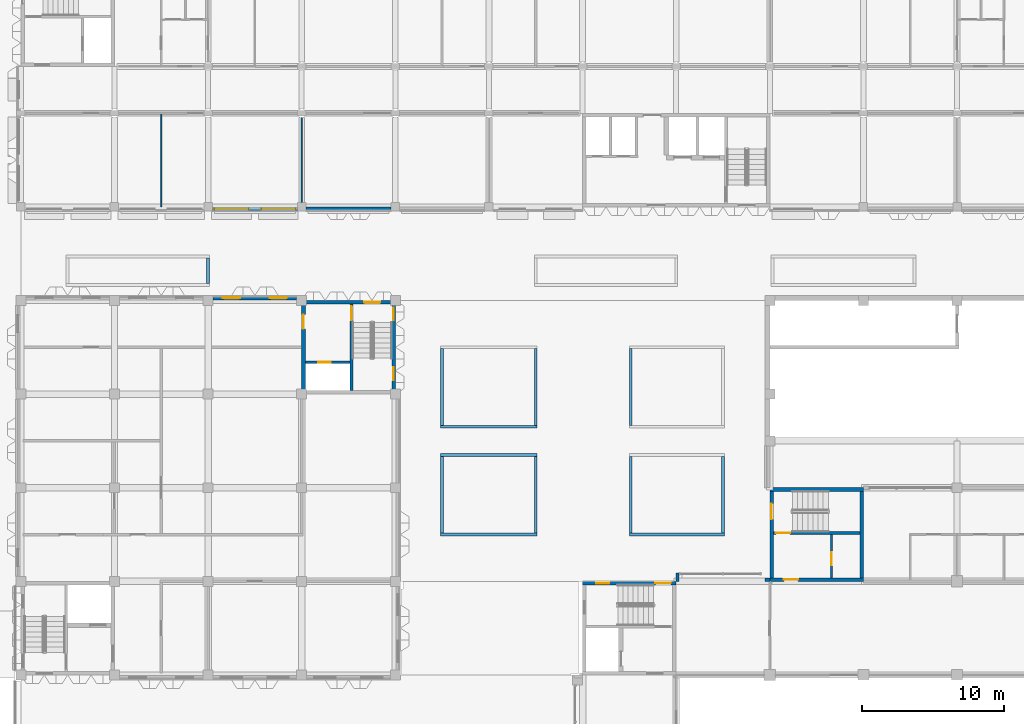
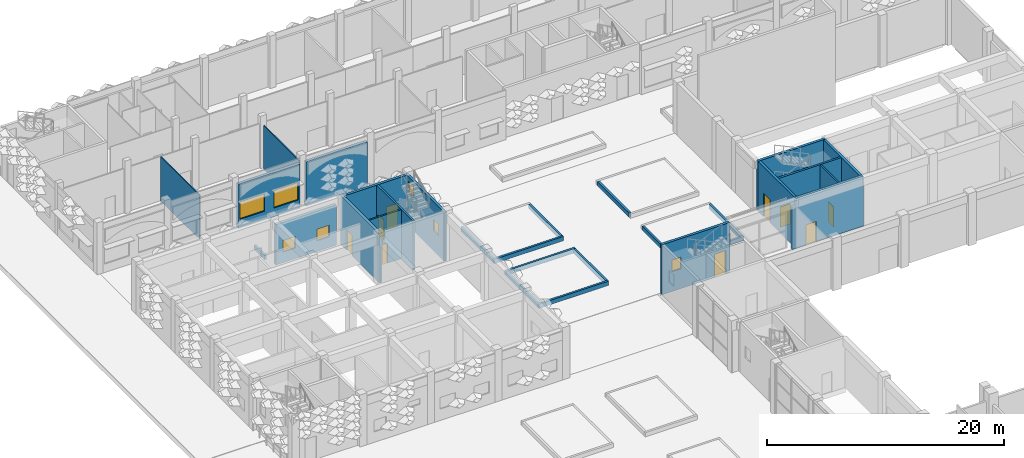
# One storey, part 36 of 85: 31 walls, 9 doors, 7 windows, 16 openings.
"""IFC4 building model written with IfcOpenShell, lengths in metres."""

from ifc_helpers import new_model, si_unit, direction, frame, frame_2d, origin, place, context, subcontext, project, spatial, rectangle, extrude, material, layer, layer_set, type_object, element, fill, save


model = new_model("IFC4")

# Units and contexts
model_context = context("Model", 3, precision=1e-05, world=origin(), true_north=direction((0.0, 1.0)))
body_context = subcontext(model_context, "Body", "Model", "MODEL_VIEW")
ifc_project = project(units=[si_unit("LENGTHUNIT", "METRE"), si_unit("AREAUNIT", "SQUARE_METRE"), si_unit("VOLUMEUNIT", "CUBIC_METRE"), si_unit("PLANEANGLEUNIT", "RADIAN"), si_unit("MASSUNIT", "GRAM", prefix="KILO")], contexts=[model_context])

# Site, building, storey
site_placement = place(None, origin())
site = spatial("IfcSite", under=ifc_project, at=site_placement, CompositionType="ELEMENT")
building_placement = place(site_placement, origin())
building = spatial("IfcBuilding", under=site, at=building_placement, Name="Lantern Court Research Institute", CompositionType="ELEMENT")
storey_placement = place(building_placement, origin())
storey = spatial("IfcBuildingStorey", under=building, at=storey_placement, Name="L00", CompositionType="ELEMENT", Elevation=0.0)

# Wall, openings, windows
ifc_material_1 = material(Name="Concrete C30/37", Category="concrete")
ifc_layer_1 = layer(ifc_material_1, 0.300048828125)
ifc_layer_set_1 = layer_set([ifc_layer_1], Name="Concrete C30/37")
wall_type_1 = type_object("IfcWallType", Name="Insulated concrete infill wall 300", PredefinedType="STANDARD", material=ifc_layer_set_1)
wall_1_placement = place(storey_placement, frame((19.5, 82.35009765625, 0.0), z_axis=(0.0, 0.0, 1.0), x_axis=(-1.0, 0.0, 0.0)))
wall_1 = element("IfcWall", 1, at=wall_1_placement, inside=storey, type_object=wall_type_1, Name="Exterior wall EW063", PredefinedType="STANDARD", context=body_context, shape_type="SweptSolid", body=[
    extrude(rectangle(XDim=6.0, YDim=0.300048828125, at=frame_2d((3.0, 0.0))), origin(), (0.0, 0.0, 1.0), 4.550048828125),
])
opening_1_placement = place(wall_1_placement, frame((3.449951171875, 0.0, 0.89990234375)))
opening_1 = element("IfcOpeningElement", 2, at=opening_1_placement, cuts=wall_1, Name="Opening W13", PredefinedType="OPENING", context=body_context, shape_type="SweptSolid", body=[
    extrude(rectangle(XDim=2.39990234375, YDim=1.800048828125, at=frame_2d((1.199951171875, 0.89990234375))), frame((0.0, 0.159912109375, 0.0), z_axis=(0.0, -1.0, 0.0), x_axis=(1.0, 0.0, 0.0)), (0.0, 0.0, 1.0), 0.320068359375),
])
opening_2_placement = place(wall_1_placement, frame((0.14990234375, 0.0, 0.89990234375)))
opening_2 = element("IfcOpeningElement", 3, at=opening_2_placement, cuts=wall_1, Name="Opening W13", PredefinedType="OPENING", context=body_context, shape_type="SweptSolid", body=[
    extrude(rectangle(XDim=2.39990234375, YDim=1.800048828125, at=frame_2d((1.199951171875, 0.89990234375))), frame((0.0, 0.159912109375, 0.0), z_axis=(0.0, -1.0, 0.0), x_axis=(1.0, 0.0, 0.0)), (0.0, 0.0, 1.0), 0.320068359375),
])
ifc_material_2 = material(Name="Aluminium frame with laminated low-emissivity glazing", Category="aluminium")
window_type_1 = type_object("IfcWindowType", Name="Seminar window 2400 x 1800", PartitioningType="SINGLE_PANEL", PredefinedType="WINDOW", material=ifc_material_2)
window_1_placement = place(opening_1_placement, origin())
window_1 = element("IfcWindow", 4, at=window_1_placement, inside=storey, type_object=window_type_1, Name="Window W13 V6S L00", OverallHeight=1.800048828125, OverallWidth=2.39990234375, PartitioningType="SINGLE_PANEL", PredefinedType="WINDOW", context=body_context, shape_type="SweptSolid", body=[
    extrude(rectangle(XDim=2.39990234375, YDim=1.800048828125, at=frame_2d((1.199951171875, 0.89990234375))), frame((0.0, 0.030029296875, 0.0), z_axis=(0.0, -1.0, 0.0), x_axis=(1.0, 0.0, 0.0)), (0.0, 0.0, 1.0), 0.06005859375),
])
fill(opening_1, window_1)
window_2_placement = place(opening_2_placement, origin())
window_2 = element("IfcWindow", 5, at=window_2_placement, inside=storey, type_object=window_type_1, Name="Window W13 V6S L00", OverallHeight=1.800048828125, OverallWidth=2.39990234375, PartitioningType="SINGLE_PANEL", PredefinedType="WINDOW", context=body_context, shape_type="SweptSolid", body=[
    extrude(rectangle(XDim=2.39990234375, YDim=1.800048828125, at=frame_2d((1.199951171875, 0.89990234375))), frame((0.0, 0.030029296875, 0.0), z_axis=(0.0, -1.0, 0.0), x_axis=(1.0, 0.0, 0.0)), (0.0, 0.0, 1.0), 0.06005859375),
])
fill(opening_2, window_2)

# Wall
wall_2_placement = place(storey_placement, frame((26.10009765625, 82.35009765625, 0.0), z_axis=(0.0, 0.0, 1.0), x_axis=(-1.0, 0.0, 0.0)))
element("IfcWall", 6, at=wall_2_placement, inside=storey, type_object=wall_type_1, Name="Exterior wall EW064", PredefinedType="STANDARD", context=body_context, shape_type="SweptSolid", body=[
    extrude(rectangle(XDim=6.0, YDim=0.300048828125, at=frame_2d((3.0, 0.0))), origin(), (0.0, 0.0, 1.0), 4.550048828125),
])

# Wall, openings, windows
ifc_material_3 = material(Name="Aluminium composite panel with mineral wool insulation", Category="aluminium")
ifc_layer_2 = layer(ifc_material_3, 0.300048828125)
ifc_layer_set_2 = layer_set([ifc_layer_2], Name="Aluminium composite panel with mineral wool insulation")
wall_type_2 = type_object("IfcWallType", Name="Insulated panel wall 300 aluminium faced", PredefinedType="STANDARD", material=ifc_layer_set_2)
wall_3_placement = place(storey_placement, frame((13.550048828125, 76.10009765625, 0.0), z_axis=(0.0, 0.0, 1.0), x_axis=(1.0, 0.0, 0.0)))
wall_3 = element("IfcWall", 7, at=wall_3_placement, inside=storey, type_object=wall_type_2, Name="Exterior wall EW019", PredefinedType="STANDARD", context=body_context, shape_type="SweptSolid", body=[
    extrude(rectangle(XDim=5.89990234375, YDim=0.300048828125, at=frame_2d((2.949951171875, 0.0))), origin(), (0.0, 0.0, 1.0), 4.14990234375),
])
opening_3_placement = place(wall_3_placement, frame((0.699951171875, 0.0, 1.10009765625)))
opening_3 = element("IfcOpeningElement", 8, at=opening_3_placement, cuts=wall_3, Name="Opening W05", PredefinedType="OPENING", context=body_context, shape_type="SweptSolid", body=[
    extrude(rectangle(XDim=1.199951171875, YDim=1.199951171875, at=frame_2d((0.60009765625, 0.60009765625))), frame((0.0, 0.159912109375, 0.0), z_axis=(0.0, -1.0, 0.0), x_axis=(1.0, 0.0, 0.0)), (0.0, 0.0, 1.0), 0.320068359375),
])
opening_4_placement = place(wall_3_placement, frame((4.0, 0.0, 1.10009765625)))
opening_4 = element("IfcOpeningElement", 9, at=opening_4_placement, cuts=wall_3, Name="Opening W05", PredefinedType="OPENING", context=body_context, shape_type="SweptSolid", body=[
    extrude(rectangle(XDim=1.199951171875, YDim=1.199951171875, at=frame_2d((0.60009765625, 0.60009765625))), frame((0.0, 0.159912109375, 0.0), z_axis=(0.0, -1.0, 0.0), x_axis=(1.0, 0.0, 0.0)), (0.0, 0.0, 1.0), 0.320068359375),
])
ifc_material_4 = material(Name="Aluminium frame with laminated low-emissivity glazing", Category="aluminium")
window_type_2 = type_object("IfcWindowType", Name="Corridor end window 1200 x 1200", PartitioningType="SINGLE_PANEL", PredefinedType="WINDOW", material=ifc_material_4)
window_3_placement = place(opening_3_placement, origin())
window_3 = element("IfcWindow", 10, at=window_3_placement, inside=storey, type_object=window_type_2, Name="Window W05 V3N L00", OverallHeight=1.199951171875, OverallWidth=1.199951171875, PartitioningType="SINGLE_PANEL", PredefinedType="WINDOW", context=body_context, shape_type="SweptSolid", body=[
    extrude(rectangle(XDim=1.199951171875, YDim=1.199951171875, at=frame_2d((0.60009765625, 0.60009765625))), frame((0.0, 0.030029296875, 0.0), z_axis=(0.0, -1.0, 0.0), x_axis=(1.0, 0.0, 0.0)), (0.0, 0.0, 1.0), 0.06005859375),
])
fill(opening_3, window_3)
window_4_placement = place(opening_4_placement, origin())
window_4 = element("IfcWindow", 11, at=window_4_placement, inside=storey, type_object=window_type_2, Name="Window W05 V3N L00", OverallHeight=1.199951171875, OverallWidth=1.199951171875, PartitioningType="SINGLE_PANEL", PredefinedType="WINDOW", context=body_context, shape_type="SweptSolid", body=[
    extrude(rectangle(XDim=1.199951171875, YDim=1.199951171875, at=frame_2d((0.60009765625, 0.60009765625))), frame((0.0, 0.030029296875, 0.0), z_axis=(0.0, -1.0, 0.0), x_axis=(1.0, 0.0, 0.0)), (0.0, 0.0, 1.0), 0.06005859375),
])
fill(opening_4, window_4)

# Walls
ifc_material_5 = material(Name="Gypsum board on metal studs")
ifc_layer_3 = layer(ifc_material_5, 0.10009765625)
ifc_layer_set_3 = layer_set([ifc_layer_3], Name="Gypsum board on metal studs")
wall_type_3 = type_object("IfcWallType", Name="Partition 100 mm", PredefinedType="PARTITIONING", material=ifc_layer_set_3)
wall_4_placement = place(storey_placement, frame((9.89990234375, 82.5, 0.0), z_axis=(0.0, 0.0, 1.0), x_axis=(0.0, 1.0, 0.0)))
element("IfcWall", 12, at=wall_4_placement, inside=storey, type_object=wall_type_3, Name="Wall V6-L00-034", PredefinedType="PARTITIONING", context=body_context, shape_type="SweptSolid", body=[
    extrude(rectangle(XDim=6.537109375, YDim=0.10009765625, at=frame_2d((3.2685546875, 0.0))), origin(), (0.0, 0.0, 1.0), 4.550048828125),
])
wall_5_placement = place(storey_placement, frame((19.800048828125, 82.800048828125, 0.0), z_axis=(0.0, 0.0, 1.0), x_axis=(0.0, 1.0, 0.0)))
element("IfcWall", 13, at=wall_5_placement, inside=storey, type_object=wall_type_3, Name="Wall V6-L00-042", PredefinedType="PARTITIONING", context=body_context, shape_type="SweptSolid", body=[
    extrude(rectangle(XDim=6.0, YDim=0.10009765625, at=frame_2d((3.0, 0.0))), origin(), (0.0, 0.0, 1.0), 4.449951171875),
])
ifc_material_6 = material(Name="Rendered blockwork", Category="masonry")
ifc_layer_4 = layer(ifc_material_6, 0.199951171875)
ifc_layer_set_4 = layer_set([ifc_layer_4], Name="Rendered blockwork")
wall_type_4 = type_object("IfcWallType", Name="Planter wall 200 mm", PredefinedType="PARTITIONING", material=ifc_layer_set_4)
for number, where, z_axis, x_axis, name in (
    (14, (29.60009765625, 59.39990234375, 0.0), (0.0, 0.0, 1.0), (1.0, 0.0, 0.0), "Planter wall garden walk 1.1"),
    (15, (29.60009765625, 65.0, 0.0), (0.0, 0.0, 1.0), (1.0, 0.0, 0.0), "Planter wall garden walk 1.2"),
):
    element("IfcWall", number, at=place(storey_placement, frame(where, z_axis=z_axis, x_axis=x_axis)), inside=storey, type_object=wall_type_4, Name=name, PredefinedType="PARTITIONING", context=body_context, shape_type="SweptSolid", body=[
        extrude(rectangle(XDim=6.7998046875, YDim=0.199951171875, at=frame_2d((3.39990234375, 0.0))), origin(), (0.0, 0.0, 1.0), 0.449951171875),
    ])
for number, where, z_axis, x_axis, name in (
    (16, (29.699951171875, 59.5, 0.0), (0.0, 0.0, 1.0), (0.0, 1.0, 0.0), "Planter wall garden walk 1.3"),
    (17, (36.300048828125, 59.5, 0.0), (0.0, 0.0, 1.0), (0.0, 1.0, 0.0), "Planter wall garden walk 1.4"),
):
    element("IfcWall", number, at=place(storey_placement, frame(where, z_axis=z_axis, x_axis=x_axis)), inside=storey, type_object=wall_type_4, Name=name, PredefinedType="PARTITIONING", context=body_context, shape_type="SweptSolid", body=[
        extrude(rectangle(XDim=5.39990234375, YDim=0.199951171875, at=frame_2d((2.699951171875, 0.0))), origin(), (0.0, 0.0, 1.0), 0.449951171875),
    ])
wall_6_placement = place(storey_placement, frame((29.60009765625, 67.0, 0.0), z_axis=(0.0, 0.0, 1.0), x_axis=(1.0, 0.0, 0.0)))
element("IfcWall", 18, at=wall_6_placement, inside=storey, type_object=wall_type_4, Name="Planter wall garden walk 2.1", PredefinedType="PARTITIONING", context=body_context, shape_type="SweptSolid", body=[
    extrude(rectangle(XDim=6.7998046875, YDim=0.199951171875, at=frame_2d((3.39990234375, 0.0))), origin(), (0.0, 0.0, 1.0), 0.449951171875),
])
for number, where, z_axis, x_axis, name in (
    (19, (29.699951171875, 67.10009765625, 0.0), (0.0, 0.0, 1.0), (0.0, 1.0, 0.0), "Planter wall garden walk 2.3"),
    (20, (36.300048828125, 67.10009765625, 0.0), (0.0, 0.0, 1.0), (0.0, 1.0, 0.0), "Planter wall garden walk 2.4"),
):
    element("IfcWall", number, at=place(storey_placement, frame(where, z_axis=z_axis, x_axis=x_axis)), inside=storey, type_object=wall_type_4, Name=name, PredefinedType="PARTITIONING", context=body_context, shape_type="SweptSolid", body=[
        extrude(rectangle(XDim=5.39990234375, YDim=0.199951171875, at=frame_2d((2.699951171875, 0.0))), origin(), (0.0, 0.0, 1.0), 0.449951171875),
    ])
wall_7_placement = place(storey_placement, frame((42.89990234375, 59.39990234375, 0.0), z_axis=(0.0, 0.0, 1.0), x_axis=(1.0, 0.0, 0.0)))
element("IfcWall", 21, at=wall_7_placement, inside=storey, type_object=wall_type_4, Name="Planter wall garden walk 3.1", PredefinedType="PARTITIONING", context=body_context, shape_type="SweptSolid", body=[
    extrude(rectangle(XDim=6.7001953125, YDim=0.199951171875, at=frame_2d((3.35009765625, 0.0))), origin(), (0.0, 0.0, 1.0), 0.449951171875),
])
for number, where, z_axis, x_axis, name in (
    (22, (43.0, 59.5, 0.0), (0.0, 0.0, 1.0), (0.0, 1.0, 0.0), "Planter wall garden walk 3.3"),
    (23, (49.5, 59.5, 0.0), (0.0, 0.0, 1.0), (0.0, 1.0, 0.0), "Planter wall garden walk 3.4"),
    (24, (43.0, 67.10009765625, 0.0), (0.0, 0.0, 1.0), (0.0, 1.0, 0.0), "Planter wall garden walk 4.3"),
):
    element("IfcWall", number, at=place(storey_placement, frame(where, z_axis=z_axis, x_axis=x_axis)), inside=storey, type_object=wall_type_4, Name=name, PredefinedType="PARTITIONING", context=body_context, shape_type="SweptSolid", body=[
        extrude(rectangle(XDim=5.39990234375, YDim=0.199951171875, at=frame_2d((2.699951171875, 0.0))), origin(), (0.0, 0.0, 1.0), 0.449951171875),
    ])
wall_8_placement = place(storey_placement, frame((13.199951171875, 77.10009765625, 0.0), z_axis=(0.0, 0.0, 1.0), x_axis=(0.0, 1.0, 0.0)))
element("IfcWall", 25, at=wall_8_placement, inside=storey, type_object=wall_type_4, Name="Planter wall north passage 1.4", PredefinedType="PARTITIONING", context=body_context, shape_type="SweptSolid", body=[
    extrude(rectangle(XDim=1.7998046875, YDim=0.199951171875, at=frame_2d((0.89990234375, 0.0))), origin(), (0.0, 0.0, 1.0), 0.449951171875),
])

# Wall, opening, door
ifc_material_7 = material(Name="Concrete C40/50", Category="concrete")
ifc_layer_5 = layer(ifc_material_7, 0.25)
ifc_layer_set_5 = layer_set([ifc_layer_5], Name="Concrete C40/50")
wall_type_5 = type_object("IfcWallType", Name="RC core wall 250", PredefinedType="SHEAR", material=ifc_layer_set_5)
wall_9_placement = place(storey_placement, frame((19.925048828125, 75.89990234375, 0.0), z_axis=(0.0, 0.0, 1.0), x_axis=(0.0, -1.0, 0.0)))
wall_9 = element("IfcWall", 26, at=wall_9_placement, inside=storey, type_object=wall_type_5, Name="West wall of core CC-B", PredefinedType="SHEAR", context=body_context, shape_type="SweptSolid", body=[
    extrude(rectangle(XDim=6.599853515625, YDim=0.25, at=frame_2d((3.2998046875, 0.0))), origin(), (0.0, 0.0, 1.0), 5.050048828125),
])
opening_5_placement = place(wall_9_placement, frame((1.0, 0.0, 0.0)))
opening_5 = element("IfcOpeningElement", 27, at=opening_5_placement, cuts=wall_9, Name="Opening D7290", PredefinedType="OPENING", context=body_context, shape_type="SweptSolid", body=[
    extrude(rectangle(XDim=1.0, YDim=2.10009765625, at=frame_2d((0.5, 1.050048828125))), frame((0.0, 0.135009765625, 0.0), z_axis=(0.0, -1.0, 0.0), x_axis=(1.0, 0.0, 0.0)), (0.0, 0.0, 1.0), 0.27001953125),
])
ifc_material_8 = material(Name="Steel fire door leaf with smoke seals", Category="steel")
door_type_1 = type_object("IfcDoorType", Name="Door 1000 x 2100 fire rated FD60S", OperationType="NOTDEFINED", PredefinedType="DOOR", material=ifc_material_8)
door_1_placement = place(opening_5_placement, origin())
door_1 = element("IfcDoor", 28, at=door_1_placement, inside=storey, type_object=door_type_1, Name="Lobby door", OperationType="SINGLE_SWING_RIGHT", OverallHeight=2.10009765625, OverallWidth=1.0, PredefinedType="DOOR", context=body_context, shape_type="SweptSolid", body=[
    extrude(rectangle(XDim=1.0, YDim=2.10009765625, at=frame_2d((0.5, 1.050048828125))), frame((0.0, 0.02490234375, 0.0), z_axis=(0.0, -1.0, 0.0), x_axis=(1.0, 0.0, 0.0)), (0.0, 0.0, 1.0), 0.050048828125),
])
fill(opening_5, door_1)

wall_10_placement = place(storey_placement, frame((52.800048828125, 56.22509765625, 0.0), z_axis=(0.0, 0.0, 1.0), x_axis=(1.0, 0.0, 0.0)))
wall_10 = element("IfcWall", 29, at=wall_10_placement, inside=storey, type_object=wall_type_5, Name="South wall of core TH-A", PredefinedType="SHEAR", context=body_context, shape_type="SweptSolid", body=[
    extrude(rectangle(XDim=6.599853515625, YDim=0.25, at=frame_2d((3.2998046875, 0.0))), origin(), (0.0, 0.0, 1.0), 5.14990234375),
])
opening_6_placement = place(wall_10_placement, frame((1.0, 0.0, 0.0)))
opening_6 = element("IfcOpeningElement", 30, at=opening_6_placement, cuts=wall_10, Name="Opening D7334", PredefinedType="OPENING", context=body_context, shape_type="SweptSolid", body=[
    extrude(rectangle(XDim=1.0, YDim=2.10009765625, at=frame_2d((0.5, 1.050048828125))), frame((0.0, 0.135009765625, 0.0), z_axis=(0.0, -1.0, 0.0), x_axis=(1.0, 0.0, 0.0)), (0.0, 0.0, 1.0), 0.27001953125),
])
door_2_placement = place(opening_6_placement, origin())
door_2 = element("IfcDoor", 31, at=door_2_placement, inside=storey, type_object=door_type_1, Name="Lobby door", OperationType="SINGLE_SWING_RIGHT", OverallHeight=2.10009765625, OverallWidth=1.0, PredefinedType="DOOR", context=body_context, shape_type="SweptSolid", body=[
    extrude(rectangle(XDim=1.0, YDim=2.10009765625, at=frame_2d((0.5, 1.050048828125))), frame((0.0, 0.02490234375, 0.0), z_axis=(0.0, -1.0, 0.0), x_axis=(1.0, 0.0, 0.0)), (0.0, 0.0, 1.0), 0.050048828125),
])
fill(opening_6, door_2)

# Walls
wall_11_placement = place(storey_placement, frame((52.800048828125, 62.574951171875, 0.0), z_axis=(0.0, 0.0, 1.0), x_axis=(1.0, 0.0, 0.0)))
element("IfcWall", 32, at=wall_11_placement, inside=storey, type_object=wall_type_5, Name="North wall of core TH-A", PredefinedType="SHEAR", context=body_context, shape_type="SweptSolid", body=[
    extrude(rectangle(XDim=6.599853515625, YDim=0.25, at=frame_2d((3.2998046875, 0.0))), origin(), (0.0, 0.0, 1.0), 5.14990234375),
])
wall_12_placement = place(storey_placement, frame((59.27490234375, 56.35009765625, 0.0), z_axis=(0.0, 0.0, 1.0), x_axis=(0.0, 1.0, 0.0)))
element("IfcWall", 33, at=wall_12_placement, inside=storey, type_object=wall_type_5, Name="East wall of core TH-A", PredefinedType="SHEAR", context=body_context, shape_type="SweptSolid", body=[
    extrude(rectangle(XDim=6.099853515625, YDim=0.25, at=frame_2d((3.0498046875, 0.0))), origin(), (0.0, 0.0, 1.0), 5.14990234375),
])

# Wall, openings, windows
ifc_material_9 = material(Name="Concrete C40/50", Category="concrete")
ifc_layer_6 = layer(ifc_material_9, 0.25)
ifc_layer_set_6 = layer_set([ifc_layer_6], Name="Concrete C40/50")
wall_type_6 = type_object("IfcWallType", Name="RC core wall 250 facade", PredefinedType="SHEAR", material=ifc_layer_set_6)
wall_13_placement = place(storey_placement, frame((26.27490234375, 75.89990234375, 0.0), z_axis=(0.0, 0.0, 1.0), x_axis=(0.0, -1.0, 0.0)))
wall_13 = element("IfcWall", 34, at=wall_13_placement, inside=storey, type_object=wall_type_6, Name="East wall of core CC-B", PredefinedType="SHEAR", context=body_context, shape_type="SweptSolid", body=[
    extrude(rectangle(XDim=6.599853515625, YDim=0.25, at=frame_2d((3.2998046875, 0.0))), origin(), (0.0, 0.0, 1.0), 5.050048828125),
])
opening_7_placement = place(wall_13_placement, frame((4.7099609375, 0.0, 2.050048828125)))
opening_7 = element("IfcOpeningElement", 35, at=opening_7_placement, cuts=wall_13, Name="Opening W6", PredefinedType="OPENING", context=body_context, shape_type="SweptSolid", body=[
    extrude(rectangle(XDim=0.89990234375, YDim=1.199951171875, at=frame_2d((0.449951171875, 0.60009765625))), frame((0.0, 0.135009765625, 0.0), z_axis=(0.0, -1.0, 0.0), x_axis=(1.0, 0.0, 0.0)), (0.0, 0.0, 1.0), 0.27001953125),
])
opening_8_placement = place(wall_13_placement, frame((0.5, 0.0, 3.39990234375)))
opening_8 = element("IfcOpeningElement", 36, at=opening_8_placement, cuts=wall_13, Name="Opening W6", PredefinedType="OPENING", context=body_context, shape_type="SweptSolid", body=[
    extrude(rectangle(XDim=0.89990234375, YDim=1.199951171875, at=frame_2d((0.449951171875, 0.60009765625))), frame((0.0, 0.135009765625, 0.0), z_axis=(0.0, -1.0, 0.0), x_axis=(1.0, 0.0, 0.0)), (0.0, 0.0, 1.0), 0.27001953125),
])
ifc_material_10 = material(Name="Aluminium alloy 6063-T6 frame with laminated glass", Category="aluminium")
window_type_3 = type_object("IfcWindowType", Name="Stair window 900 x 1200", PartitioningType="SINGLE_PANEL", PredefinedType="WINDOW", material=ifc_material_10)
window_5_placement = place(opening_7_placement, origin())
window_5 = element("IfcWindow", 37, at=window_5_placement, inside=storey, type_object=window_type_3, Name="Stair window", OverallHeight=1.199951171875, OverallWidth=0.89990234375, PartitioningType="SINGLE_PANEL", PredefinedType="WINDOW", context=body_context, shape_type="SweptSolid", body=[
    extrude(rectangle(XDim=0.89990234375, YDim=1.199951171875, at=frame_2d((0.449951171875, 0.60009765625))), frame((0.0, 0.030029296875, 0.0), z_axis=(0.0, -1.0, 0.0), x_axis=(1.0, 0.0, 0.0)), (0.0, 0.0, 1.0), 0.06005859375),
])
fill(opening_7, window_5)
window_6_placement = place(opening_8_placement, origin())
window_6 = element("IfcWindow", 38, at=window_6_placement, inside=storey, type_object=window_type_3, Name="Stair window", OverallHeight=1.199951171875, OverallWidth=0.89990234375, PartitioningType="SINGLE_PANEL", PredefinedType="WINDOW", context=body_context, shape_type="SweptSolid", body=[
    extrude(rectangle(XDim=0.89990234375, YDim=1.199951171875, at=frame_2d((0.449951171875, 0.60009765625))), frame((0.0, 0.030029296875, 0.0), z_axis=(0.0, -1.0, 0.0), x_axis=(1.0, 0.0, 0.0)), (0.0, 0.0, 1.0), 0.06005859375),
])
fill(opening_8, window_6)

# Wall, opening, door
wall_14_placement = place(storey_placement, frame((20.050048828125, 75.77490234375, 0.0), z_axis=(0.0, 0.0, 1.0), x_axis=(1.0, 0.0, 0.0)))
wall_14 = element("IfcWall", 39, at=wall_14_placement, inside=storey, type_object=wall_type_6, Name="North wall of core CC-B", PredefinedType="SHEAR", context=body_context, shape_type="SweptSolid", body=[
    extrude(rectangle(XDim=6.099853515625, YDim=0.25, at=frame_2d((3.0498046875, 0.0))), origin(), (0.0, 0.0, 1.0), 5.050048828125),
])
opening_9_placement = place(wall_14_placement, frame((4.175048828125, 0.0, 0.0)))
opening_9 = element("IfcOpeningElement", 40, at=opening_9_placement, cuts=wall_14, Name="Opening D7292", PredefinedType="OPENING", context=body_context, shape_type="SweptSolid", body=[
    extrude(rectangle(XDim=1.10009765625, YDim=2.39990234375, at=frame_2d((0.550048828125, 1.199951171875))), frame((0.0, 0.135009765625, 0.0), z_axis=(0.0, -1.0, 0.0), x_axis=(1.0, 0.0, 0.0)), (0.0, 0.0, 1.0), 0.27001953125),
])
ifc_material_11 = material(Name="Steel fire door leaf with smoke seals", Category="steel")
door_type_2 = type_object("IfcDoorType", Name="Door 1100 x 2400 fire rated FD60S", OperationType="NOTDEFINED", PredefinedType="DOOR", material=ifc_material_11)
door_3_placement = place(opening_9_placement, origin())
door_3 = element("IfcDoor", 41, at=door_3_placement, inside=storey, type_object=door_type_2, Name="Stair exit door", OperationType="SINGLE_SWING_RIGHT", OverallHeight=2.39990234375, OverallWidth=1.10009765625, PredefinedType="DOOR", context=body_context, shape_type="SweptSolid", body=[
    extrude(rectangle(XDim=1.10009765625, YDim=2.39990234375, at=frame_2d((0.550048828125, 1.199951171875))), frame((0.0, 0.02490234375, 0.0), z_axis=(0.0, -1.0, 0.0), x_axis=(1.0, 0.0, 0.0)), (0.0, 0.0, 1.0), 0.050048828125),
])
fill(opening_9, door_3)

# Wall, openings, door, window
wall_15_placement = place(storey_placement, frame((39.60009765625, 55.97509765625, 0.0), z_axis=(0.0, 0.0, 1.0), x_axis=(1.0, 0.0, 0.0)))
wall_15 = element("IfcWall", 42, at=wall_15_placement, inside=storey, type_object=wall_type_6, Name="North wall of core HC-A", PredefinedType="SHEAR", context=body_context, shape_type="SweptSolid", body=[
    extrude(rectangle(XDim=6.599853515625, YDim=0.25, at=frame_2d((3.2998046875, 0.0))), origin(), (0.0, 0.0, 1.0), 5.14990234375),
])
opening_10_placement = place(wall_15_placement, frame((5.125, 0.0, 0.0)))
opening_10 = element("IfcOpeningElement", 43, at=opening_10_placement, cuts=wall_15, Name="Opening D7305", PredefinedType="OPENING", context=body_context, shape_type="SweptSolid", body=[
    extrude(rectangle(XDim=1.10009765625, YDim=2.39990234375, at=frame_2d((0.550048828125, 1.199951171875))), frame((0.0, 0.135009765625, 0.0), z_axis=(0.0, -1.0, 0.0), x_axis=(1.0, 0.0, 0.0)), (0.0, 0.0, 1.0), 0.27001953125),
])
opening_11_placement = place(wall_15_placement, frame((0.965087890625, 0.0, 2.050048828125)))
opening_11 = element("IfcOpeningElement", 44, at=opening_11_placement, cuts=wall_15, Name="Opening W6", PredefinedType="OPENING", context=body_context, shape_type="SweptSolid", body=[
    extrude(rectangle(XDim=0.89990234375, YDim=1.199951171875, at=frame_2d((0.449951171875, 0.60009765625))), frame((0.0, 0.135009765625, 0.0), z_axis=(0.0, -1.0, 0.0), x_axis=(1.0, 0.0, 0.0)), (0.0, 0.0, 1.0), 0.27001953125),
])
door_4_placement = place(opening_10_placement, origin())
door_4 = element("IfcDoor", 45, at=door_4_placement, inside=storey, type_object=door_type_2, Name="Stair exit door", OperationType="SINGLE_SWING_LEFT", OverallHeight=2.39990234375, OverallWidth=1.10009765625, PredefinedType="DOOR", context=body_context, shape_type="SweptSolid", body=[
    extrude(rectangle(XDim=1.10009765625, YDim=2.39990234375, at=frame_2d((0.550048828125, 1.199951171875))), frame((0.0, 0.02490234375, 0.0), z_axis=(0.0, -1.0, 0.0), x_axis=(1.0, 0.0, 0.0)), (0.0, 0.0, 1.0), 0.050048828125),
])
fill(opening_10, door_4)
window_7_placement = place(opening_11_placement, origin())
window_7 = element("IfcWindow", 46, at=window_7_placement, inside=storey, type_object=window_type_3, Name="Stair window", OverallHeight=1.199951171875, OverallWidth=0.89990234375, PartitioningType="SINGLE_PANEL", PredefinedType="WINDOW", context=body_context, shape_type="SweptSolid", body=[
    extrude(rectangle(XDim=0.89990234375, YDim=1.199951171875, at=frame_2d((0.449951171875, 0.60009765625))), frame((0.0, 0.030029296875, 0.0), z_axis=(0.0, -1.0, 0.0), x_axis=(1.0, 0.0, 0.0)), (0.0, 0.0, 1.0), 0.06005859375),
])
fill(opening_11, window_7)

# Wall, opening, door
wall_16_placement = place(storey_placement, frame((52.925048828125, 56.35009765625, 0.0), z_axis=(0.0, 0.0, 1.0), x_axis=(0.0, 1.0, 0.0)))
wall_16 = element("IfcWall", 47, at=wall_16_placement, inside=storey, type_object=wall_type_6, Name="West wall of core TH-A", PredefinedType="SHEAR", context=body_context, shape_type="SweptSolid", body=[
    extrude(rectangle(XDim=6.099853515625, YDim=0.25, at=frame_2d((3.0498046875, 0.0))), origin(), (0.0, 0.0, 1.0), 5.14990234375),
])
opening_12_placement = place(wall_16_placement, frame((4.125, 0.0, 0.0)))
opening_12 = element("IfcOpeningElement", 48, at=opening_12_placement, cuts=wall_16, Name="Opening D7336", PredefinedType="OPENING", context=body_context, shape_type="SweptSolid", body=[
    extrude(rectangle(XDim=1.10009765625, YDim=2.39990234375, at=frame_2d((0.550048828125, 1.199951171875))), frame((0.0, 0.135009765625, 0.0), z_axis=(0.0, -1.0, 0.0), x_axis=(1.0, 0.0, 0.0)), (0.0, 0.0, 1.0), 0.27001953125),
])
door_5_placement = place(opening_12_placement, origin())
door_5 = element("IfcDoor", 49, at=door_5_placement, inside=storey, type_object=door_type_2, Name="Stair exit door", OperationType="SINGLE_SWING_RIGHT", OverallHeight=2.39990234375, OverallWidth=1.10009765625, PredefinedType="DOOR", context=body_context, shape_type="SweptSolid", body=[
    extrude(rectangle(XDim=1.10009765625, YDim=2.39990234375, at=frame_2d((0.550048828125, 1.199951171875))), frame((0.0, 0.02490234375, 0.0), z_axis=(0.0, -1.0, 0.0), x_axis=(1.0, 0.0, 0.0)), (0.0, 0.0, 1.0), 0.050048828125),
])
fill(opening_12, door_5)

ifc_material_12 = material(Name="Concrete C40/50", Category="concrete")
ifc_layer_7 = layer(ifc_material_12, 0.14990234375)
ifc_layer_set_7 = layer_set([ifc_layer_7], Name="Concrete C40/50")
wall_type_7 = type_object("IfcWallType", Name="RC shaft wall 150", PredefinedType="SHEAR", material=ifc_layer_set_7)
wall_17_placement = place(storey_placement, frame((20.050048828125, 71.550048828125, 0.0), z_axis=(0.0, 0.0, 1.0), x_axis=(1.0, 0.0, 0.0)))
wall_17 = element("IfcWall", 50, at=wall_17_placement, inside=storey, type_object=wall_type_7, Name="Riser wall of core CC-B", PredefinedType="SHEAR", context=body_context, shape_type="SweptSolid", body=[
    extrude(rectangle(XDim=3.14990234375, YDim=0.14990234375, at=frame_2d((1.574951171875, 0.0))), origin(), (0.0, 0.0, 1.0), 5.050048828125),
])
opening_13_placement = place(wall_17_placement, frame((0.89990234375, 0.0, 0.0)))
opening_13 = element("IfcOpeningElement", 51, at=opening_13_placement, cuts=wall_17, Name="Opening D7289", PredefinedType="OPENING", context=body_context, shape_type="SweptSolid", body=[
    extrude(rectangle(XDim=0.89990234375, YDim=2.10009765625, at=frame_2d((0.449951171875, 1.050048828125))), frame((0.0, 0.0849609375, 0.0), z_axis=(0.0, -1.0, 0.0), x_axis=(1.0, 0.0, 0.0)), (0.0, 0.0, 1.0), 0.169921875),
])
ifc_material_13 = material(Name="Steel fire door leaf", Category="steel")
door_type_3 = type_object("IfcDoorType", Name="Door 900 x 2100 fire rated FD60", OperationType="NOTDEFINED", PredefinedType="DOOR", material=ifc_material_13)
door_6_placement = place(opening_13_placement, origin())
door_6 = element("IfcDoor", 52, at=door_6_placement, inside=storey, type_object=door_type_3, Name="Riser door", OperationType="SINGLE_SWING_RIGHT", OverallHeight=2.10009765625, OverallWidth=0.89990234375, PredefinedType="DOOR", context=body_context, shape_type="SweptSolid", body=[
    extrude(rectangle(XDim=0.89990234375, YDim=2.10009765625, at=frame_2d((0.449951171875, 1.050048828125))), frame((0.0, 0.02490234375, 0.0), z_axis=(0.0, -1.0, 0.0), x_axis=(1.0, 0.0, 0.0)), (0.0, 0.0, 1.0), 0.050048828125),
])
fill(opening_13, door_6)

wall_18_placement = place(storey_placement, frame((57.14990234375, 56.35009765625, 0.0), z_axis=(0.0, 0.0, 1.0), x_axis=(0.0, 1.0, 0.0)))
wall_18 = element("IfcWall", 53, at=wall_18_placement, inside=storey, type_object=wall_type_7, Name="Riser wall of core TH-A", PredefinedType="SHEAR", context=body_context, shape_type="SweptSolid", body=[
    extrude(rectangle(XDim=3.0498046875, YDim=0.14990234375, at=frame_2d((1.52490234375, 0.0))), origin(), (0.0, 0.0, 1.0), 5.14990234375),
])
opening_14_placement = place(wall_18_placement, frame((0.89990234375, 0.0, 0.0)))
opening_14 = element("IfcOpeningElement", 54, at=opening_14_placement, cuts=wall_18, Name="Opening D7333", PredefinedType="OPENING", context=body_context, shape_type="SweptSolid", body=[
    extrude(rectangle(XDim=0.89990234375, YDim=2.10009765625, at=frame_2d((0.449951171875, 1.050048828125))), frame((0.0, 0.0849609375, 0.0), z_axis=(0.0, -1.0, 0.0), x_axis=(1.0, 0.0, 0.0)), (0.0, 0.0, 1.0), 0.169921875),
])
door_7_placement = place(opening_14_placement, origin())
door_7 = element("IfcDoor", 55, at=door_7_placement, inside=storey, type_object=door_type_3, Name="Riser door", OperationType="SINGLE_SWING_RIGHT", OverallHeight=2.10009765625, OverallWidth=0.89990234375, PredefinedType="DOOR", context=body_context, shape_type="SweptSolid", body=[
    extrude(rectangle(XDim=0.89990234375, YDim=2.10009765625, at=frame_2d((0.449951171875, 1.050048828125))), frame((0.0, 0.02490234375, 0.0), z_axis=(0.0, -1.0, 0.0), x_axis=(1.0, 0.0, 0.0)), (0.0, 0.0, 1.0), 0.050048828125),
])
fill(opening_14, door_7)

ifc_material_14 = material(Name="Concrete C40/50", Category="concrete")
ifc_layer_8 = layer(ifc_material_14, 0.199951171875)
ifc_layer_set_8 = layer_set([ifc_layer_8], Name="Concrete C40/50")
wall_type_8 = type_object("IfcWallType", Name="RC shaft wall 200", PredefinedType="SHEAR", material=ifc_layer_set_8)
wall_19_placement = place(storey_placement, frame((23.300048828125, 75.64990234375, 0.0), z_axis=(0.0, 0.0, 1.0), x_axis=(0.0, -1.0, 0.0)))
wall_19 = element("IfcWall", 56, at=wall_19_placement, inside=storey, type_object=wall_type_8, Name="Stair wall of core CC-B", PredefinedType="SHEAR", context=body_context, shape_type="SweptSolid", body=[
    extrude(rectangle(XDim=6.099853515625, YDim=0.199951171875, at=frame_2d((3.0498046875, 0.0))), origin(), (0.0, 0.0, 1.0), 5.050048828125),
])
opening_15_placement = place(wall_19_placement, frame((0.14990234375, 0.0, 0.0)))
opening_15 = element("IfcOpeningElement", 57, at=opening_15_placement, cuts=wall_19, Name="Opening D7291", PredefinedType="OPENING", context=body_context, shape_type="SweptSolid", body=[
    extrude(rectangle(XDim=1.0, YDim=2.10009765625, at=frame_2d((0.5, 1.050048828125))), frame((0.0, 0.10986328125, 0.0), z_axis=(0.0, -1.0, 0.0), x_axis=(1.0, 0.0, 0.0)), (0.0, 0.0, 1.0), 0.219970703125),
])
door_8_placement = place(opening_15_placement, origin())
door_8 = element("IfcDoor", 58, at=door_8_placement, inside=storey, type_object=door_type_1, Name="Stair door", OperationType="SINGLE_SWING_RIGHT", OverallHeight=2.10009765625, OverallWidth=1.0, PredefinedType="DOOR", context=body_context, shape_type="SweptSolid", body=[
    extrude(rectangle(XDim=1.0, YDim=2.10009765625, at=frame_2d((0.5, 1.050048828125))), frame((0.0, 0.02490234375, 0.0), z_axis=(0.0, -1.0, 0.0), x_axis=(1.0, 0.0, 0.0)), (0.0, 0.0, 1.0), 0.050048828125),
])
fill(opening_15, door_8)

wall_20_placement = place(storey_placement, frame((53.050048828125, 59.5, 0.0), z_axis=(0.0, 0.0, 1.0), x_axis=(1.0, 0.0, 0.0)))
wall_20 = element("IfcWall", 59, at=wall_20_placement, inside=storey, type_object=wall_type_8, Name="Stair wall of core TH-A", PredefinedType="SHEAR", context=body_context, shape_type="SweptSolid", body=[
    extrude(rectangle(XDim=6.099853515625, YDim=0.199951171875, at=frame_2d((3.0498046875, 0.0))), origin(), (0.0, 0.0, 1.0), 5.14990234375),
])
opening_16_placement = place(wall_20_placement, frame((0.175048828125, 0.0, 0.0)))
opening_16 = element("IfcOpeningElement", 60, at=opening_16_placement, cuts=wall_20, Name="Opening D7335", PredefinedType="OPENING", context=body_context, shape_type="SweptSolid", body=[
    extrude(rectangle(XDim=1.0, YDim=2.10009765625, at=frame_2d((0.5, 1.050048828125))), frame((0.0, 0.10986328125, 0.0), z_axis=(0.0, -1.0, 0.0), x_axis=(1.0, 0.0, 0.0)), (0.0, 0.0, 1.0), 0.219970703125),
])
door_9_placement = place(opening_16_placement, origin())
door_9 = element("IfcDoor", 61, at=door_9_placement, inside=storey, type_object=door_type_1, Name="Stair door", OperationType="SINGLE_SWING_RIGHT", OverallHeight=2.10009765625, OverallWidth=1.0, PredefinedType="DOOR", context=body_context, shape_type="SweptSolid", body=[
    extrude(rectangle(XDim=1.0, YDim=2.10009765625, at=frame_2d((0.5, 1.050048828125))), frame((0.0, 0.02490234375, 0.0), z_axis=(0.0, -1.0, 0.0), x_axis=(1.0, 0.0, 0.0)), (0.0, 0.0, 1.0), 0.050048828125),
])
fill(opening_16, door_9)

# Walls
ifc_material_15 = material(Name="Concrete C40/50", Category="concrete")
ifc_layer_9 = layer(ifc_material_15, 0.199951171875)
ifc_layer_set_9 = layer_set([ifc_layer_9], Name="Concrete C40/50")
wall_type_9 = type_object("IfcWallType", Name="Return wall 200 concrete EI 120 aluminium faced", PredefinedType="STANDARD", material=ifc_layer_set_9)
wall_21_placement = place(storey_placement, frame((46.300048828125, 56.10009765625, 0.0), z_axis=(0.0, 0.0, 1.0), x_axis=(0.0, 1.0, 0.0)))
element("IfcWall", 62, at=wall_21_placement, inside=storey, type_object=wall_type_9, Name="Core return wall 02", PredefinedType="STANDARD", context=body_context, shape_type="SweptSolid", body=[
    extrude(rectangle(XDim=0.599853515625, YDim=0.199951171875, at=frame_2d((0.2998046875, 0.0))), origin(), (0.0, 0.0, 1.0), 4.35009765625),
])
ifc_material_16 = material(Name="Glued laminated timber GL28h", Category="wood")
ifc_layer_10 = layer(ifc_material_16, 0.35009765625)
ifc_layer_set_10 = layer_set([ifc_layer_10], Name="Glued laminated timber GL28h")
wall_type_10 = type_object("IfcWallType", Name="Timber-clad drum wall 350", PredefinedType="STANDARD", material=ifc_layer_set_10)
wall_22_placement = place(storey_placement, frame((52.625, 56.10009765625, 0.0), z_axis=(0.0, 0.0, 1.0), x_axis=(0.0, 1.0, 0.0)))
element("IfcWall", 63, at=wall_22_placement, inside=storey, type_object=wall_type_10, Name="Exterior wall EW008", PredefinedType="STANDARD", context=body_context, shape_type="SweptSolid", body=[
    extrude(rectangle(XDim=0.224853515625, YDim=0.35009765625, at=frame_2d((0.1123046875, 0.0))), origin(), (0.0, 0.0, 1.0), 4.35009765625),
])

save(model, "model.ifc")
